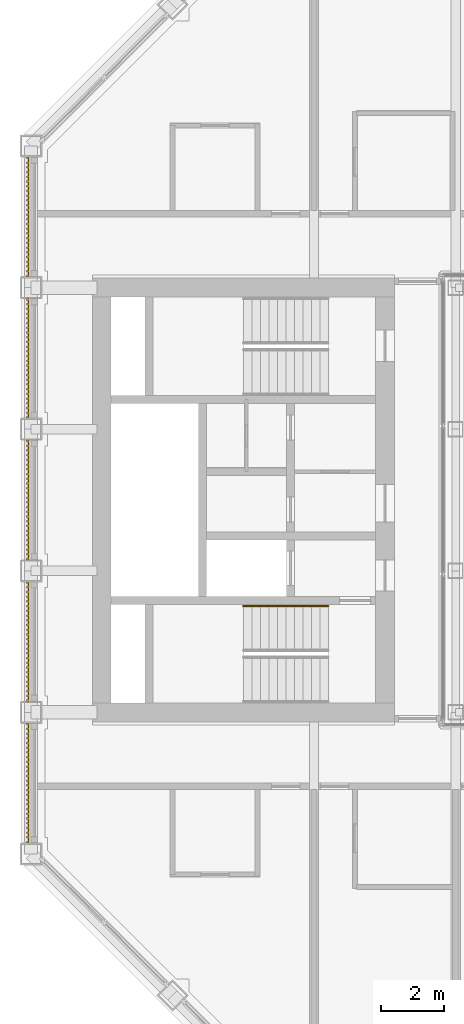
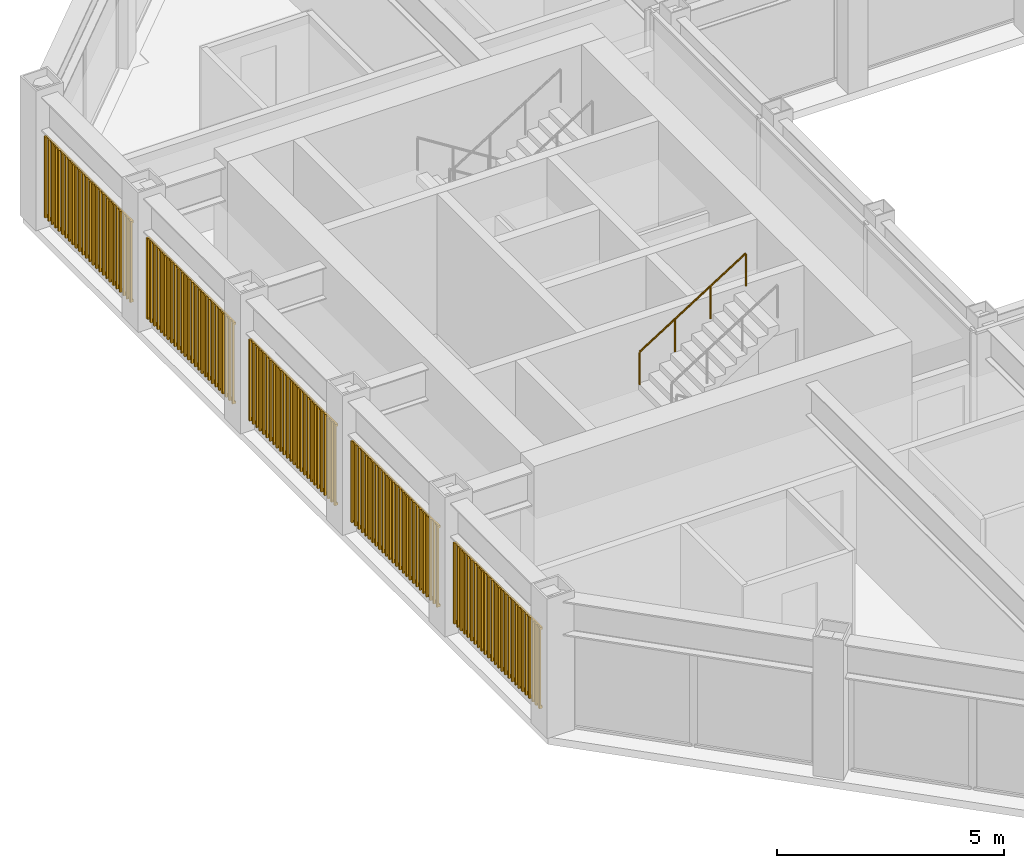
# One storey, part 14 of 16: 1 railing, 1 shading device.
"""IFC4 building model written with IfcOpenShell, lengths in metres."""

from ifc_helpers import new_model, si_unit, direction, frame, origin, origin_2d, place, context, subcontext, project, spatial, rectangle, circle, extrude, material, type_object, element, save


model = new_model("IFC4")

# Units and contexts
model_context = context("Model", 3, precision=1e-05, world=origin(), true_north=direction((0.0, 1.0)))
body_context = subcontext(model_context, "Body", "Model", "MODEL_VIEW")
ifc_project = project(units=[si_unit("LENGTHUNIT", "METRE"), si_unit("AREAUNIT", "SQUARE_METRE"), si_unit("VOLUMEUNIT", "CUBIC_METRE"), si_unit("PLANEANGLEUNIT", "RADIAN"), si_unit("MASSUNIT", "GRAM", prefix="KILO")], contexts=[model_context])

# Site, building, storey
site_placement = place(None, origin())
site = spatial("IfcSite", under=ifc_project, at=site_placement, CompositionType="ELEMENT")
building_placement = place(site_placement, origin())
building = spatial("IfcBuilding", under=site, at=building_placement, Name="Msasa Ring Tower", CompositionType="ELEMENT")
storey_placement = place(building_placement, frame((0.0, 0.0, 212.050048828125)))
storey = spatial("IfcBuildingStorey", under=building, at=storey_placement, Name="L55", CompositionType="ELEMENT", Elevation=212.050048828125)

# Shading device
ifc_material_1 = material(Name="Extruded terracotta on aluminium carriers", Category="masonry")
shading_device_type = type_object("IfcShadingDeviceType", Name="BS1 TERRACOTTA BAGUETTE SCREEN 50x50 AT 150", PredefinedType="USERDEFINED", material=ifc_material_1)
shading_device_placement = place(storey_placement, origin())
element("IfcShadingDevice", 1, at=shading_device_placement, inside=storey, type_object=shading_device_type, Name="Terracotta baguette screen W L55", ObjectType="BAGUETTE", PredefinedType="USERDEFINED", context=body_context, shape_type="SweptSolid", body=[
    extrude(rectangle(XDim=0.06005859375, YDim=0.0400390625, at=origin_2d()), frame((-20.330078125, -10.89990234375, 0.329833984375), z_axis=(0.0, 1.0, 0.0), x_axis=(0.0, 0.0, 1.0)), (0.0, 0.0, 1.0), 3.800048828125),
    extrude(rectangle(XDim=0.06005859375, YDim=0.0400390625, at=origin_2d()), frame((-20.330078125, -10.89990234375, 2.448974609375), z_axis=(0.0, 1.0, 0.0), x_axis=(0.0, 0.0, 1.0)), (0.0, 0.0, 1.0), 3.800048828125),
    extrude(rectangle(XDim=0.050048828125, YDim=0.050048828125, at=origin_2d()), frame((-20.3701171875, -10.875, 0.300048828125), z_axis=(0.0, 0.0, 1.0), x_axis=(0.0, 1.0, 0.0)), (0.0, 0.0, 1.0), 2.178955078125),
    extrude(rectangle(XDim=0.050048828125, YDim=0.050048828125, at=origin_2d()), frame((-20.3701171875, -10.72509765625, 0.300048828125), z_axis=(0.0, 0.0, 1.0), x_axis=(0.0, 1.0, 0.0)), (0.0, 0.0, 1.0), 2.178955078125),
    extrude(rectangle(XDim=0.050048828125, YDim=0.050048828125, at=origin_2d()), frame((-20.3701171875, -10.574951171875, 0.300048828125), z_axis=(0.0, 0.0, 1.0), x_axis=(0.0, 1.0, 0.0)), (0.0, 0.0, 1.0), 2.178955078125),
    extrude(rectangle(XDim=0.050048828125, YDim=0.050048828125, at=origin_2d()), frame((-20.3701171875, -10.425048828125, 0.300048828125), z_axis=(0.0, 0.0, 1.0), x_axis=(0.0, 1.0, 0.0)), (0.0, 0.0, 1.0), 2.178955078125),
    extrude(rectangle(XDim=0.050048828125, YDim=0.050048828125, at=origin_2d()), frame((-20.3701171875, -10.27490234375, 0.300048828125), z_axis=(0.0, 0.0, 1.0), x_axis=(0.0, 1.0, 0.0)), (0.0, 0.0, 1.0), 2.178955078125),
    extrude(rectangle(XDim=0.050048828125, YDim=0.050048828125, at=origin_2d()), frame((-20.3701171875, -10.125, 0.300048828125), z_axis=(0.0, 0.0, 1.0), x_axis=(0.0, 1.0, 0.0)), (0.0, 0.0, 1.0), 2.178955078125),
    extrude(rectangle(XDim=0.050048828125, YDim=0.050048828125, at=origin_2d()), frame((-20.3701171875, -9.97509765625, 0.300048828125), z_axis=(0.0, 0.0, 1.0), x_axis=(0.0, 1.0, 0.0)), (0.0, 0.0, 1.0), 2.178955078125),
    extrude(rectangle(XDim=0.050048828125, YDim=0.050048828125, at=origin_2d()), frame((-20.3701171875, -9.824951171875, 0.300048828125), z_axis=(0.0, 0.0, 1.0), x_axis=(0.0, 1.0, 0.0)), (0.0, 0.0, 1.0), 2.178955078125),
    extrude(rectangle(XDim=0.050048828125, YDim=0.050048828125, at=origin_2d()), frame((-20.3701171875, -9.675048828125, 0.300048828125), z_axis=(0.0, 0.0, 1.0), x_axis=(0.0, 1.0, 0.0)), (0.0, 0.0, 1.0), 2.178955078125),
    extrude(rectangle(XDim=0.050048828125, YDim=0.050048828125, at=origin_2d()), frame((-20.3701171875, -9.52490234375, 0.300048828125), z_axis=(0.0, 0.0, 1.0), x_axis=(0.0, 1.0, 0.0)), (0.0, 0.0, 1.0), 2.178955078125),
    extrude(rectangle(XDim=0.050048828125, YDim=0.050048828125, at=origin_2d()), frame((-20.3701171875, -9.375, 0.300048828125), z_axis=(0.0, 0.0, 1.0), x_axis=(0.0, 1.0, 0.0)), (0.0, 0.0, 1.0), 2.178955078125),
    extrude(rectangle(XDim=0.050048828125, YDim=0.050048828125, at=origin_2d()), frame((-20.3701171875, -9.22509765625, 0.300048828125), z_axis=(0.0, 0.0, 1.0), x_axis=(0.0, 1.0, 0.0)), (0.0, 0.0, 1.0), 2.178955078125),
    extrude(rectangle(XDim=0.050048828125, YDim=0.050048828125, at=origin_2d()), frame((-20.3701171875, -9.074951171875, 0.300048828125), z_axis=(0.0, 0.0, 1.0), x_axis=(0.0, 1.0, 0.0)), (0.0, 0.0, 1.0), 2.178955078125),
    extrude(rectangle(XDim=0.050048828125, YDim=0.050048828125, at=origin_2d()), frame((-20.3701171875, -8.925048828125, 0.300048828125), z_axis=(0.0, 0.0, 1.0), x_axis=(0.0, 1.0, 0.0)), (0.0, 0.0, 1.0), 2.178955078125),
    extrude(rectangle(XDim=0.050048828125, YDim=0.050048828125, at=origin_2d()), frame((-20.3701171875, -8.77490234375, 0.300048828125), z_axis=(0.0, 0.0, 1.0), x_axis=(0.0, 1.0, 0.0)), (0.0, 0.0, 1.0), 2.178955078125),
    extrude(rectangle(XDim=0.050048828125, YDim=0.050048828125, at=origin_2d()), frame((-20.3701171875, -8.625, 0.300048828125), z_axis=(0.0, 0.0, 1.0), x_axis=(0.0, 1.0, 0.0)), (0.0, 0.0, 1.0), 2.178955078125),
    extrude(rectangle(XDim=0.050048828125, YDim=0.050048828125, at=origin_2d()), frame((-20.3701171875, -8.47509765625, 0.300048828125), z_axis=(0.0, 0.0, 1.0), x_axis=(0.0, 1.0, 0.0)), (0.0, 0.0, 1.0), 2.178955078125),
    extrude(rectangle(XDim=0.050048828125, YDim=0.050048828125, at=origin_2d()), frame((-20.3701171875, -8.324951171875, 0.300048828125), z_axis=(0.0, 0.0, 1.0), x_axis=(0.0, 1.0, 0.0)), (0.0, 0.0, 1.0), 2.178955078125),
    extrude(rectangle(XDim=0.050048828125, YDim=0.050048828125, at=origin_2d()), frame((-20.3701171875, -8.175048828125, 0.300048828125), z_axis=(0.0, 0.0, 1.0), x_axis=(0.0, 1.0, 0.0)), (0.0, 0.0, 1.0), 2.178955078125),
    extrude(rectangle(XDim=0.050048828125, YDim=0.050048828125, at=origin_2d()), frame((-20.3701171875, -8.02490234375, 0.300048828125), z_axis=(0.0, 0.0, 1.0), x_axis=(0.0, 1.0, 0.0)), (0.0, 0.0, 1.0), 2.178955078125),
    extrude(rectangle(XDim=0.050048828125, YDim=0.050048828125, at=origin_2d()), frame((-20.3701171875, -7.875, 0.300048828125), z_axis=(0.0, 0.0, 1.0), x_axis=(0.0, 1.0, 0.0)), (0.0, 0.0, 1.0), 2.178955078125),
    extrude(rectangle(XDim=0.050048828125, YDim=0.050048828125, at=origin_2d()), frame((-20.3701171875, -7.72509765625, 0.300048828125), z_axis=(0.0, 0.0, 1.0), x_axis=(0.0, 1.0, 0.0)), (0.0, 0.0, 1.0), 2.178955078125),
    extrude(rectangle(XDim=0.050048828125, YDim=0.050048828125, at=origin_2d()), frame((-20.3701171875, -7.574951171875, 0.300048828125), z_axis=(0.0, 0.0, 1.0), x_axis=(0.0, 1.0, 0.0)), (0.0, 0.0, 1.0), 2.178955078125),
    extrude(rectangle(XDim=0.050048828125, YDim=0.050048828125, at=origin_2d()), frame((-20.3701171875, -7.425048828125, 0.300048828125), z_axis=(0.0, 0.0, 1.0), x_axis=(0.0, 1.0, 0.0)), (0.0, 0.0, 1.0), 2.178955078125),
    extrude(rectangle(XDim=0.050048828125, YDim=0.050048828125, at=origin_2d()), frame((-20.3701171875, -7.27490234375, 0.300048828125), z_axis=(0.0, 0.0, 1.0), x_axis=(0.0, 1.0, 0.0)), (0.0, 0.0, 1.0), 2.178955078125),
    extrude(rectangle(XDim=0.050048828125, YDim=0.050048828125, at=origin_2d()), frame((-20.3701171875, -7.125, 0.300048828125), z_axis=(0.0, 0.0, 1.0), x_axis=(0.0, 1.0, 0.0)), (0.0, 0.0, 1.0), 2.178955078125),
    extrude(rectangle(XDim=0.06005859375, YDim=0.0400390625, at=origin_2d()), frame((-20.330078125, -6.39990234375, 0.329833984375), z_axis=(0.0, 1.0, 0.0), x_axis=(0.0, 0.0, 1.0)), (0.0, 0.0, 1.0), 3.800048828125),
    extrude(rectangle(XDim=0.06005859375, YDim=0.0400390625, at=origin_2d()), frame((-20.330078125, -6.39990234375, 2.448974609375), z_axis=(0.0, 1.0, 0.0), x_axis=(0.0, 0.0, 1.0)), (0.0, 0.0, 1.0), 3.800048828125),
    extrude(rectangle(XDim=0.050048828125, YDim=0.050048828125, at=origin_2d()), frame((-20.3701171875, -6.375, 0.300048828125), z_axis=(0.0, 0.0, 1.0), x_axis=(0.0, 1.0, 0.0)), (0.0, 0.0, 1.0), 2.178955078125),
    extrude(rectangle(XDim=0.050048828125, YDim=0.050048828125, at=origin_2d()), frame((-20.3701171875, -6.22509765625, 0.300048828125), z_axis=(0.0, 0.0, 1.0), x_axis=(0.0, 1.0, 0.0)), (0.0, 0.0, 1.0), 2.178955078125),
    extrude(rectangle(XDim=0.050048828125, YDim=0.050048828125, at=origin_2d()), frame((-20.3701171875, -6.074951171875, 0.300048828125), z_axis=(0.0, 0.0, 1.0), x_axis=(0.0, 1.0, 0.0)), (0.0, 0.0, 1.0), 2.178955078125),
    extrude(rectangle(XDim=0.050048828125, YDim=0.050048828125, at=origin_2d()), frame((-20.3701171875, -5.925048828125, 0.300048828125), z_axis=(0.0, 0.0, 1.0), x_axis=(0.0, 1.0, 0.0)), (0.0, 0.0, 1.0), 2.178955078125),
    extrude(rectangle(XDim=0.050048828125, YDim=0.050048828125, at=origin_2d()), frame((-20.3701171875, -5.77490234375, 0.300048828125), z_axis=(0.0, 0.0, 1.0), x_axis=(0.0, 1.0, 0.0)), (0.0, 0.0, 1.0), 2.178955078125),
    extrude(rectangle(XDim=0.050048828125, YDim=0.050048828125, at=origin_2d()), frame((-20.3701171875, -5.625, 0.300048828125), z_axis=(0.0, 0.0, 1.0), x_axis=(0.0, 1.0, 0.0)), (0.0, 0.0, 1.0), 2.178955078125),
    extrude(rectangle(XDim=0.050048828125, YDim=0.050048828125, at=origin_2d()), frame((-20.3701171875, -5.47509765625, 0.300048828125), z_axis=(0.0, 0.0, 1.0), x_axis=(0.0, 1.0, 0.0)), (0.0, 0.0, 1.0), 2.178955078125),
    extrude(rectangle(XDim=0.050048828125, YDim=0.050048828125, at=origin_2d()), frame((-20.3701171875, -5.324951171875, 0.300048828125), z_axis=(0.0, 0.0, 1.0), x_axis=(0.0, 1.0, 0.0)), (0.0, 0.0, 1.0), 2.178955078125),
    extrude(rectangle(XDim=0.050048828125, YDim=0.050048828125, at=origin_2d()), frame((-20.3701171875, -5.175048828125, 0.300048828125), z_axis=(0.0, 0.0, 1.0), x_axis=(0.0, 1.0, 0.0)), (0.0, 0.0, 1.0), 2.178955078125),
    extrude(rectangle(XDim=0.050048828125, YDim=0.050048828125, at=origin_2d()), frame((-20.3701171875, -5.02490234375, 0.300048828125), z_axis=(0.0, 0.0, 1.0), x_axis=(0.0, 1.0, 0.0)), (0.0, 0.0, 1.0), 2.178955078125),
    extrude(rectangle(XDim=0.050048828125, YDim=0.050048828125, at=origin_2d()), frame((-20.3701171875, -4.875, 0.300048828125), z_axis=(0.0, 0.0, 1.0), x_axis=(0.0, 1.0, 0.0)), (0.0, 0.0, 1.0), 2.178955078125),
    extrude(rectangle(XDim=0.050048828125, YDim=0.050048828125, at=origin_2d()), frame((-20.3701171875, -4.72509765625, 0.300048828125), z_axis=(0.0, 0.0, 1.0), x_axis=(0.0, 1.0, 0.0)), (0.0, 0.0, 1.0), 2.178955078125),
    extrude(rectangle(XDim=0.050048828125, YDim=0.050048828125, at=origin_2d()), frame((-20.3701171875, -4.574951171875, 0.300048828125), z_axis=(0.0, 0.0, 1.0), x_axis=(0.0, 1.0, 0.0)), (0.0, 0.0, 1.0), 2.178955078125),
    extrude(rectangle(XDim=0.050048828125, YDim=0.050048828125, at=origin_2d()), frame((-20.3701171875, -4.425048828125, 0.300048828125), z_axis=(0.0, 0.0, 1.0), x_axis=(0.0, 1.0, 0.0)), (0.0, 0.0, 1.0), 2.178955078125),
    extrude(rectangle(XDim=0.050048828125, YDim=0.050048828125, at=origin_2d()), frame((-20.3701171875, -4.27490234375, 0.300048828125), z_axis=(0.0, 0.0, 1.0), x_axis=(0.0, 1.0, 0.0)), (0.0, 0.0, 1.0), 2.178955078125),
    extrude(rectangle(XDim=0.050048828125, YDim=0.050048828125, at=origin_2d()), frame((-20.3701171875, -4.125, 0.300048828125), z_axis=(0.0, 0.0, 1.0), x_axis=(0.0, 1.0, 0.0)), (0.0, 0.0, 1.0), 2.178955078125),
    extrude(rectangle(XDim=0.050048828125, YDim=0.050048828125, at=origin_2d()), frame((-20.3701171875, -3.97509765625, 0.300048828125), z_axis=(0.0, 0.0, 1.0), x_axis=(0.0, 1.0, 0.0)), (0.0, 0.0, 1.0), 2.178955078125),
    extrude(rectangle(XDim=0.050048828125, YDim=0.050048828125, at=origin_2d()), frame((-20.3701171875, -3.824951171875, 0.300048828125), z_axis=(0.0, 0.0, 1.0), x_axis=(0.0, 1.0, 0.0)), (0.0, 0.0, 1.0), 2.178955078125),
    extrude(rectangle(XDim=0.050048828125, YDim=0.050048828125, at=origin_2d()), frame((-20.3701171875, -3.675048828125, 0.300048828125), z_axis=(0.0, 0.0, 1.0), x_axis=(0.0, 1.0, 0.0)), (0.0, 0.0, 1.0), 2.178955078125),
    extrude(rectangle(XDim=0.050048828125, YDim=0.050048828125, at=origin_2d()), frame((-20.3701171875, -3.52490234375, 0.300048828125), z_axis=(0.0, 0.0, 1.0), x_axis=(0.0, 1.0, 0.0)), (0.0, 0.0, 1.0), 2.178955078125),
    extrude(rectangle(XDim=0.050048828125, YDim=0.050048828125, at=origin_2d()), frame((-20.3701171875, -3.375, 0.300048828125), z_axis=(0.0, 0.0, 1.0), x_axis=(0.0, 1.0, 0.0)), (0.0, 0.0, 1.0), 2.178955078125),
    extrude(rectangle(XDim=0.050048828125, YDim=0.050048828125, at=origin_2d()), frame((-20.3701171875, -3.22509765625, 0.300048828125), z_axis=(0.0, 0.0, 1.0), x_axis=(0.0, 1.0, 0.0)), (0.0, 0.0, 1.0), 2.178955078125),
    extrude(rectangle(XDim=0.050048828125, YDim=0.050048828125, at=origin_2d()), frame((-20.3701171875, -3.074951171875, 0.300048828125), z_axis=(0.0, 0.0, 1.0), x_axis=(0.0, 1.0, 0.0)), (0.0, 0.0, 1.0), 2.178955078125),
    extrude(rectangle(XDim=0.050048828125, YDim=0.050048828125, at=origin_2d()), frame((-20.3701171875, -2.925048828125, 0.300048828125), z_axis=(0.0, 0.0, 1.0), x_axis=(0.0, 1.0, 0.0)), (0.0, 0.0, 1.0), 2.178955078125),
    extrude(rectangle(XDim=0.050048828125, YDim=0.050048828125, at=origin_2d()), frame((-20.3701171875, -2.77490234375, 0.300048828125), z_axis=(0.0, 0.0, 1.0), x_axis=(0.0, 1.0, 0.0)), (0.0, 0.0, 1.0), 2.178955078125),
    extrude(rectangle(XDim=0.050048828125, YDim=0.050048828125, at=origin_2d()), frame((-20.3701171875, -2.625, 0.300048828125), z_axis=(0.0, 0.0, 1.0), x_axis=(0.0, 1.0, 0.0)), (0.0, 0.0, 1.0), 2.178955078125),
    extrude(rectangle(XDim=0.06005859375, YDim=0.0400390625, at=origin_2d()), frame((-20.330078125, -1.89990234375, 0.329833984375), z_axis=(0.0, 1.0, 0.0), x_axis=(0.0, 0.0, 1.0)), (0.0, 0.0, 1.0), 3.800048828125),
    extrude(rectangle(XDim=0.06005859375, YDim=0.0400390625, at=origin_2d()), frame((-20.330078125, -1.89990234375, 2.448974609375), z_axis=(0.0, 1.0, 0.0), x_axis=(0.0, 0.0, 1.0)), (0.0, 0.0, 1.0), 3.800048828125),
    extrude(rectangle(XDim=0.050048828125, YDim=0.050048828125, at=origin_2d()), frame((-20.3701171875, -1.875, 0.300048828125), z_axis=(0.0, 0.0, 1.0), x_axis=(0.0, 1.0, 0.0)), (0.0, 0.0, 1.0), 2.178955078125),
    extrude(rectangle(XDim=0.050048828125, YDim=0.050048828125, at=origin_2d()), frame((-20.3701171875, -1.72509765625, 0.300048828125), z_axis=(0.0, 0.0, 1.0), x_axis=(0.0, 1.0, 0.0)), (0.0, 0.0, 1.0), 2.178955078125),
    extrude(rectangle(XDim=0.050048828125, YDim=0.050048828125, at=origin_2d()), frame((-20.3701171875, -1.574951171875, 0.300048828125), z_axis=(0.0, 0.0, 1.0), x_axis=(0.0, 1.0, 0.0)), (0.0, 0.0, 1.0), 2.178955078125),
    extrude(rectangle(XDim=0.050048828125, YDim=0.050048828125, at=origin_2d()), frame((-20.3701171875, -1.425048828125, 0.300048828125), z_axis=(0.0, 0.0, 1.0), x_axis=(0.0, 1.0, 0.0)), (0.0, 0.0, 1.0), 2.178955078125),
    extrude(rectangle(XDim=0.050048828125, YDim=0.050048828125, at=origin_2d()), frame((-20.3701171875, -1.27490234375, 0.300048828125), z_axis=(0.0, 0.0, 1.0), x_axis=(0.0, 1.0, 0.0)), (0.0, 0.0, 1.0), 2.178955078125),
    extrude(rectangle(XDim=0.050048828125, YDim=0.050048828125, at=origin_2d()), frame((-20.3701171875, -1.125, 0.300048828125), z_axis=(0.0, 0.0, 1.0), x_axis=(0.0, 1.0, 0.0)), (0.0, 0.0, 1.0), 2.178955078125),
    extrude(rectangle(XDim=0.050048828125, YDim=0.050048828125, at=origin_2d()), frame((-20.3701171875, -0.97509765625, 0.300048828125), z_axis=(0.0, 0.0, 1.0), x_axis=(0.0, 1.0, 0.0)), (0.0, 0.0, 1.0), 2.178955078125),
    extrude(rectangle(XDim=0.050048828125, YDim=0.050048828125, at=origin_2d()), frame((-20.3701171875, -0.824951171875, 0.300048828125), z_axis=(0.0, 0.0, 1.0), x_axis=(0.0, 1.0, 0.0)), (0.0, 0.0, 1.0), 2.178955078125),
    extrude(rectangle(XDim=0.050048828125, YDim=0.050048828125, at=origin_2d()), frame((-20.3701171875, -0.675048828125, 0.300048828125), z_axis=(0.0, 0.0, 1.0), x_axis=(0.0, 1.0, 0.0)), (0.0, 0.0, 1.0), 2.178955078125),
    extrude(rectangle(XDim=0.050048828125, YDim=0.050048828125, at=origin_2d()), frame((-20.3701171875, -0.52490234375, 0.300048828125), z_axis=(0.0, 0.0, 1.0), x_axis=(0.0, 1.0, 0.0)), (0.0, 0.0, 1.0), 2.178955078125),
    extrude(rectangle(XDim=0.050048828125, YDim=0.050048828125, at=origin_2d()), frame((-20.3701171875, -0.375, 0.300048828125), z_axis=(0.0, 0.0, 1.0), x_axis=(0.0, 1.0, 0.0)), (0.0, 0.0, 1.0), 2.178955078125),
    extrude(rectangle(XDim=0.050048828125, YDim=0.050048828125, at=origin_2d()), frame((-20.3701171875, -0.22509765625, 0.300048828125), z_axis=(0.0, 0.0, 1.0), x_axis=(0.0, 1.0, 0.0)), (0.0, 0.0, 1.0), 2.178955078125),
    extrude(rectangle(XDim=0.050048828125, YDim=0.050048828125, at=origin_2d()), frame((-20.3701171875, -0.074951171875, 0.300048828125), z_axis=(0.0, 0.0, 1.0), x_axis=(0.0, 1.0, 0.0)), (0.0, 0.0, 1.0), 2.178955078125),
    extrude(rectangle(XDim=0.050048828125, YDim=0.050048828125, at=origin_2d()), frame((-20.3701171875, 0.074951171875, 0.300048828125), z_axis=(0.0, 0.0, 1.0), x_axis=(0.0, 1.0, 0.0)), (0.0, 0.0, 1.0), 2.178955078125),
    extrude(rectangle(XDim=0.050048828125, YDim=0.050048828125, at=origin_2d()), frame((-20.3701171875, 0.22509765625, 0.300048828125), z_axis=(0.0, 0.0, 1.0), x_axis=(0.0, 1.0, 0.0)), (0.0, 0.0, 1.0), 2.178955078125),
    extrude(rectangle(XDim=0.050048828125, YDim=0.050048828125, at=origin_2d()), frame((-20.3701171875, 0.375, 0.300048828125), z_axis=(0.0, 0.0, 1.0), x_axis=(0.0, 1.0, 0.0)), (0.0, 0.0, 1.0), 2.178955078125),
    extrude(rectangle(XDim=0.050048828125, YDim=0.050048828125, at=origin_2d()), frame((-20.3701171875, 0.52490234375, 0.300048828125), z_axis=(0.0, 0.0, 1.0), x_axis=(0.0, 1.0, 0.0)), (0.0, 0.0, 1.0), 2.178955078125),
    extrude(rectangle(XDim=0.050048828125, YDim=0.050048828125, at=origin_2d()), frame((-20.3701171875, 0.675048828125, 0.300048828125), z_axis=(0.0, 0.0, 1.0), x_axis=(0.0, 1.0, 0.0)), (0.0, 0.0, 1.0), 2.178955078125),
    extrude(rectangle(XDim=0.050048828125, YDim=0.050048828125, at=origin_2d()), frame((-20.3701171875, 0.824951171875, 0.300048828125), z_axis=(0.0, 0.0, 1.0), x_axis=(0.0, 1.0, 0.0)), (0.0, 0.0, 1.0), 2.178955078125),
    extrude(rectangle(XDim=0.050048828125, YDim=0.050048828125, at=origin_2d()), frame((-20.3701171875, 0.97509765625, 0.300048828125), z_axis=(0.0, 0.0, 1.0), x_axis=(0.0, 1.0, 0.0)), (0.0, 0.0, 1.0), 2.178955078125),
    extrude(rectangle(XDim=0.050048828125, YDim=0.050048828125, at=origin_2d()), frame((-20.3701171875, 1.125, 0.300048828125), z_axis=(0.0, 0.0, 1.0), x_axis=(0.0, 1.0, 0.0)), (0.0, 0.0, 1.0), 2.178955078125),
    extrude(rectangle(XDim=0.050048828125, YDim=0.050048828125, at=origin_2d()), frame((-20.3701171875, 1.27490234375, 0.300048828125), z_axis=(0.0, 0.0, 1.0), x_axis=(0.0, 1.0, 0.0)), (0.0, 0.0, 1.0), 2.178955078125),
    extrude(rectangle(XDim=0.050048828125, YDim=0.050048828125, at=origin_2d()), frame((-20.3701171875, 1.425048828125, 0.300048828125), z_axis=(0.0, 0.0, 1.0), x_axis=(0.0, 1.0, 0.0)), (0.0, 0.0, 1.0), 2.178955078125),
    extrude(rectangle(XDim=0.050048828125, YDim=0.050048828125, at=origin_2d()), frame((-20.3701171875, 1.574951171875, 0.300048828125), z_axis=(0.0, 0.0, 1.0), x_axis=(0.0, 1.0, 0.0)), (0.0, 0.0, 1.0), 2.178955078125),
    extrude(rectangle(XDim=0.050048828125, YDim=0.050048828125, at=origin_2d()), frame((-20.3701171875, 1.72509765625, 0.300048828125), z_axis=(0.0, 0.0, 1.0), x_axis=(0.0, 1.0, 0.0)), (0.0, 0.0, 1.0), 2.178955078125),
    extrude(rectangle(XDim=0.050048828125, YDim=0.050048828125, at=origin_2d()), frame((-20.3701171875, 1.875, 0.300048828125), z_axis=(0.0, 0.0, 1.0), x_axis=(0.0, 1.0, 0.0)), (0.0, 0.0, 1.0), 2.178955078125),
    extrude(rectangle(XDim=0.06005859375, YDim=0.0400390625, at=origin_2d()), frame((-20.330078125, 2.60009765625, 0.329833984375), z_axis=(0.0, 1.0, 0.0), x_axis=(0.0, 0.0, 1.0)), (0.0, 0.0, 1.0), 3.800048828125),
    extrude(rectangle(XDim=0.06005859375, YDim=0.0400390625, at=origin_2d()), frame((-20.330078125, 2.60009765625, 2.448974609375), z_axis=(0.0, 1.0, 0.0), x_axis=(0.0, 0.0, 1.0)), (0.0, 0.0, 1.0), 3.800048828125),
    extrude(rectangle(XDim=0.050048828125, YDim=0.050048828125, at=origin_2d()), frame((-20.3701171875, 2.625, 0.300048828125), z_axis=(0.0, 0.0, 1.0), x_axis=(0.0, 1.0, 0.0)), (0.0, 0.0, 1.0), 2.178955078125),
    extrude(rectangle(XDim=0.050048828125, YDim=0.050048828125, at=origin_2d()), frame((-20.3701171875, 2.77490234375, 0.300048828125), z_axis=(0.0, 0.0, 1.0), x_axis=(0.0, 1.0, 0.0)), (0.0, 0.0, 1.0), 2.178955078125),
    extrude(rectangle(XDim=0.050048828125, YDim=0.050048828125, at=origin_2d()), frame((-20.3701171875, 2.925048828125, 0.300048828125), z_axis=(0.0, 0.0, 1.0), x_axis=(0.0, 1.0, 0.0)), (0.0, 0.0, 1.0), 2.178955078125),
    extrude(rectangle(XDim=0.050048828125, YDim=0.050048828125, at=origin_2d()), frame((-20.3701171875, 3.074951171875, 0.300048828125), z_axis=(0.0, 0.0, 1.0), x_axis=(0.0, 1.0, 0.0)), (0.0, 0.0, 1.0), 2.178955078125),
    extrude(rectangle(XDim=0.050048828125, YDim=0.050048828125, at=origin_2d()), frame((-20.3701171875, 3.22509765625, 0.300048828125), z_axis=(0.0, 0.0, 1.0), x_axis=(0.0, 1.0, 0.0)), (0.0, 0.0, 1.0), 2.178955078125),
    extrude(rectangle(XDim=0.050048828125, YDim=0.050048828125, at=origin_2d()), frame((-20.3701171875, 3.375, 0.300048828125), z_axis=(0.0, 0.0, 1.0), x_axis=(0.0, 1.0, 0.0)), (0.0, 0.0, 1.0), 2.178955078125),
    extrude(rectangle(XDim=0.050048828125, YDim=0.050048828125, at=origin_2d()), frame((-20.3701171875, 3.52490234375, 0.300048828125), z_axis=(0.0, 0.0, 1.0), x_axis=(0.0, 1.0, 0.0)), (0.0, 0.0, 1.0), 2.178955078125),
    extrude(rectangle(XDim=0.050048828125, YDim=0.050048828125, at=origin_2d()), frame((-20.3701171875, 3.675048828125, 0.300048828125), z_axis=(0.0, 0.0, 1.0), x_axis=(0.0, 1.0, 0.0)), (0.0, 0.0, 1.0), 2.178955078125),
    extrude(rectangle(XDim=0.050048828125, YDim=0.050048828125, at=origin_2d()), frame((-20.3701171875, 3.824951171875, 0.300048828125), z_axis=(0.0, 0.0, 1.0), x_axis=(0.0, 1.0, 0.0)), (0.0, 0.0, 1.0), 2.178955078125),
    extrude(rectangle(XDim=0.050048828125, YDim=0.050048828125, at=origin_2d()), frame((-20.3701171875, 3.97509765625, 0.300048828125), z_axis=(0.0, 0.0, 1.0), x_axis=(0.0, 1.0, 0.0)), (0.0, 0.0, 1.0), 2.178955078125),
    extrude(rectangle(XDim=0.050048828125, YDim=0.050048828125, at=origin_2d()), frame((-20.3701171875, 4.125, 0.300048828125), z_axis=(0.0, 0.0, 1.0), x_axis=(0.0, 1.0, 0.0)), (0.0, 0.0, 1.0), 2.178955078125),
    extrude(rectangle(XDim=0.050048828125, YDim=0.050048828125, at=origin_2d()), frame((-20.3701171875, 4.27490234375, 0.300048828125), z_axis=(0.0, 0.0, 1.0), x_axis=(0.0, 1.0, 0.0)), (0.0, 0.0, 1.0), 2.178955078125),
    extrude(rectangle(XDim=0.050048828125, YDim=0.050048828125, at=origin_2d()), frame((-20.3701171875, 4.425048828125, 0.300048828125), z_axis=(0.0, 0.0, 1.0), x_axis=(0.0, 1.0, 0.0)), (0.0, 0.0, 1.0), 2.178955078125),
    extrude(rectangle(XDim=0.050048828125, YDim=0.050048828125, at=origin_2d()), frame((-20.3701171875, 4.574951171875, 0.300048828125), z_axis=(0.0, 0.0, 1.0), x_axis=(0.0, 1.0, 0.0)), (0.0, 0.0, 1.0), 2.178955078125),
    extrude(rectangle(XDim=0.050048828125, YDim=0.050048828125, at=origin_2d()), frame((-20.3701171875, 4.72509765625, 0.300048828125), z_axis=(0.0, 0.0, 1.0), x_axis=(0.0, 1.0, 0.0)), (0.0, 0.0, 1.0), 2.178955078125),
    extrude(rectangle(XDim=0.050048828125, YDim=0.050048828125, at=origin_2d()), frame((-20.3701171875, 4.875, 0.300048828125), z_axis=(0.0, 0.0, 1.0), x_axis=(0.0, 1.0, 0.0)), (0.0, 0.0, 1.0), 2.178955078125),
    extrude(rectangle(XDim=0.050048828125, YDim=0.050048828125, at=origin_2d()), frame((-20.3701171875, 5.02490234375, 0.300048828125), z_axis=(0.0, 0.0, 1.0), x_axis=(0.0, 1.0, 0.0)), (0.0, 0.0, 1.0), 2.178955078125),
    extrude(rectangle(XDim=0.050048828125, YDim=0.050048828125, at=origin_2d()), frame((-20.3701171875, 5.175048828125, 0.300048828125), z_axis=(0.0, 0.0, 1.0), x_axis=(0.0, 1.0, 0.0)), (0.0, 0.0, 1.0), 2.178955078125),
    extrude(rectangle(XDim=0.050048828125, YDim=0.050048828125, at=origin_2d()), frame((-20.3701171875, 5.324951171875, 0.300048828125), z_axis=(0.0, 0.0, 1.0), x_axis=(0.0, 1.0, 0.0)), (0.0, 0.0, 1.0), 2.178955078125),
    extrude(rectangle(XDim=0.050048828125, YDim=0.050048828125, at=origin_2d()), frame((-20.3701171875, 5.47509765625, 0.300048828125), z_axis=(0.0, 0.0, 1.0), x_axis=(0.0, 1.0, 0.0)), (0.0, 0.0, 1.0), 2.178955078125),
    extrude(rectangle(XDim=0.050048828125, YDim=0.050048828125, at=origin_2d()), frame((-20.3701171875, 5.625, 0.300048828125), z_axis=(0.0, 0.0, 1.0), x_axis=(0.0, 1.0, 0.0)), (0.0, 0.0, 1.0), 2.178955078125),
    extrude(rectangle(XDim=0.050048828125, YDim=0.050048828125, at=origin_2d()), frame((-20.3701171875, 5.77490234375, 0.300048828125), z_axis=(0.0, 0.0, 1.0), x_axis=(0.0, 1.0, 0.0)), (0.0, 0.0, 1.0), 2.178955078125),
    extrude(rectangle(XDim=0.050048828125, YDim=0.050048828125, at=origin_2d()), frame((-20.3701171875, 5.925048828125, 0.300048828125), z_axis=(0.0, 0.0, 1.0), x_axis=(0.0, 1.0, 0.0)), (0.0, 0.0, 1.0), 2.178955078125),
    extrude(rectangle(XDim=0.050048828125, YDim=0.050048828125, at=origin_2d()), frame((-20.3701171875, 6.074951171875, 0.300048828125), z_axis=(0.0, 0.0, 1.0), x_axis=(0.0, 1.0, 0.0)), (0.0, 0.0, 1.0), 2.178955078125),
    extrude(rectangle(XDim=0.050048828125, YDim=0.050048828125, at=origin_2d()), frame((-20.3701171875, 6.22509765625, 0.300048828125), z_axis=(0.0, 0.0, 1.0), x_axis=(0.0, 1.0, 0.0)), (0.0, 0.0, 1.0), 2.178955078125),
    extrude(rectangle(XDim=0.050048828125, YDim=0.050048828125, at=origin_2d()), frame((-20.3701171875, 6.375, 0.300048828125), z_axis=(0.0, 0.0, 1.0), x_axis=(0.0, 1.0, 0.0)), (0.0, 0.0, 1.0), 2.178955078125),
    extrude(rectangle(XDim=0.06005859375, YDim=0.0400390625, at=origin_2d()), frame((-20.330078125, 7.10009765625, 0.329833984375), z_axis=(0.0, 1.0, 0.0), x_axis=(0.0, 0.0, 1.0)), (0.0, 0.0, 1.0), 3.800048828125),
    extrude(rectangle(XDim=0.06005859375, YDim=0.0400390625, at=origin_2d()), frame((-20.330078125, 7.10009765625, 2.448974609375), z_axis=(0.0, 1.0, 0.0), x_axis=(0.0, 0.0, 1.0)), (0.0, 0.0, 1.0), 3.800048828125),
    extrude(rectangle(XDim=0.050048828125, YDim=0.050048828125, at=origin_2d()), frame((-20.3701171875, 7.125, 0.300048828125), z_axis=(0.0, 0.0, 1.0), x_axis=(0.0, 1.0, 0.0)), (0.0, 0.0, 1.0), 2.178955078125),
    extrude(rectangle(XDim=0.050048828125, YDim=0.050048828125, at=origin_2d()), frame((-20.3701171875, 7.27490234375, 0.300048828125), z_axis=(0.0, 0.0, 1.0), x_axis=(0.0, 1.0, 0.0)), (0.0, 0.0, 1.0), 2.178955078125),
    extrude(rectangle(XDim=0.050048828125, YDim=0.050048828125, at=origin_2d()), frame((-20.3701171875, 7.425048828125, 0.300048828125), z_axis=(0.0, 0.0, 1.0), x_axis=(0.0, 1.0, 0.0)), (0.0, 0.0, 1.0), 2.178955078125),
    extrude(rectangle(XDim=0.050048828125, YDim=0.050048828125, at=origin_2d()), frame((-20.3701171875, 7.574951171875, 0.300048828125), z_axis=(0.0, 0.0, 1.0), x_axis=(0.0, 1.0, 0.0)), (0.0, 0.0, 1.0), 2.178955078125),
    extrude(rectangle(XDim=0.050048828125, YDim=0.050048828125, at=origin_2d()), frame((-20.3701171875, 7.72509765625, 0.300048828125), z_axis=(0.0, 0.0, 1.0), x_axis=(0.0, 1.0, 0.0)), (0.0, 0.0, 1.0), 2.178955078125),
    extrude(rectangle(XDim=0.050048828125, YDim=0.050048828125, at=origin_2d()), frame((-20.3701171875, 7.875, 0.300048828125), z_axis=(0.0, 0.0, 1.0), x_axis=(0.0, 1.0, 0.0)), (0.0, 0.0, 1.0), 2.178955078125),
    extrude(rectangle(XDim=0.050048828125, YDim=0.050048828125, at=origin_2d()), frame((-20.3701171875, 8.02490234375, 0.300048828125), z_axis=(0.0, 0.0, 1.0), x_axis=(0.0, 1.0, 0.0)), (0.0, 0.0, 1.0), 2.178955078125),
    extrude(rectangle(XDim=0.050048828125, YDim=0.050048828125, at=origin_2d()), frame((-20.3701171875, 8.175048828125, 0.300048828125), z_axis=(0.0, 0.0, 1.0), x_axis=(0.0, 1.0, 0.0)), (0.0, 0.0, 1.0), 2.178955078125),
    extrude(rectangle(XDim=0.050048828125, YDim=0.050048828125, at=origin_2d()), frame((-20.3701171875, 8.324951171875, 0.300048828125), z_axis=(0.0, 0.0, 1.0), x_axis=(0.0, 1.0, 0.0)), (0.0, 0.0, 1.0), 2.178955078125),
    extrude(rectangle(XDim=0.050048828125, YDim=0.050048828125, at=origin_2d()), frame((-20.3701171875, 8.47509765625, 0.300048828125), z_axis=(0.0, 0.0, 1.0), x_axis=(0.0, 1.0, 0.0)), (0.0, 0.0, 1.0), 2.178955078125),
    extrude(rectangle(XDim=0.050048828125, YDim=0.050048828125, at=origin_2d()), frame((-20.3701171875, 8.625, 0.300048828125), z_axis=(0.0, 0.0, 1.0), x_axis=(0.0, 1.0, 0.0)), (0.0, 0.0, 1.0), 2.178955078125),
    extrude(rectangle(XDim=0.050048828125, YDim=0.050048828125, at=origin_2d()), frame((-20.3701171875, 8.77490234375, 0.300048828125), z_axis=(0.0, 0.0, 1.0), x_axis=(0.0, 1.0, 0.0)), (0.0, 0.0, 1.0), 2.178955078125),
    extrude(rectangle(XDim=0.050048828125, YDim=0.050048828125, at=origin_2d()), frame((-20.3701171875, 8.925048828125, 0.300048828125), z_axis=(0.0, 0.0, 1.0), x_axis=(0.0, 1.0, 0.0)), (0.0, 0.0, 1.0), 2.178955078125),
    extrude(rectangle(XDim=0.050048828125, YDim=0.050048828125, at=origin_2d()), frame((-20.3701171875, 9.074951171875, 0.300048828125), z_axis=(0.0, 0.0, 1.0), x_axis=(0.0, 1.0, 0.0)), (0.0, 0.0, 1.0), 2.178955078125),
    extrude(rectangle(XDim=0.050048828125, YDim=0.050048828125, at=origin_2d()), frame((-20.3701171875, 9.22509765625, 0.300048828125), z_axis=(0.0, 0.0, 1.0), x_axis=(0.0, 1.0, 0.0)), (0.0, 0.0, 1.0), 2.178955078125),
    extrude(rectangle(XDim=0.050048828125, YDim=0.050048828125, at=origin_2d()), frame((-20.3701171875, 9.375, 0.300048828125), z_axis=(0.0, 0.0, 1.0), x_axis=(0.0, 1.0, 0.0)), (0.0, 0.0, 1.0), 2.178955078125),
    extrude(rectangle(XDim=0.050048828125, YDim=0.050048828125, at=origin_2d()), frame((-20.3701171875, 9.52490234375, 0.300048828125), z_axis=(0.0, 0.0, 1.0), x_axis=(0.0, 1.0, 0.0)), (0.0, 0.0, 1.0), 2.178955078125),
    extrude(rectangle(XDim=0.050048828125, YDim=0.050048828125, at=origin_2d()), frame((-20.3701171875, 9.675048828125, 0.300048828125), z_axis=(0.0, 0.0, 1.0), x_axis=(0.0, 1.0, 0.0)), (0.0, 0.0, 1.0), 2.178955078125),
    extrude(rectangle(XDim=0.050048828125, YDim=0.050048828125, at=origin_2d()), frame((-20.3701171875, 9.824951171875, 0.300048828125), z_axis=(0.0, 0.0, 1.0), x_axis=(0.0, 1.0, 0.0)), (0.0, 0.0, 1.0), 2.178955078125),
    extrude(rectangle(XDim=0.050048828125, YDim=0.050048828125, at=origin_2d()), frame((-20.3701171875, 9.97509765625, 0.300048828125), z_axis=(0.0, 0.0, 1.0), x_axis=(0.0, 1.0, 0.0)), (0.0, 0.0, 1.0), 2.178955078125),
    extrude(rectangle(XDim=0.050048828125, YDim=0.050048828125, at=origin_2d()), frame((-20.3701171875, 10.125, 0.300048828125), z_axis=(0.0, 0.0, 1.0), x_axis=(0.0, 1.0, 0.0)), (0.0, 0.0, 1.0), 2.178955078125),
    extrude(rectangle(XDim=0.050048828125, YDim=0.050048828125, at=origin_2d()), frame((-20.3701171875, 10.27490234375, 0.300048828125), z_axis=(0.0, 0.0, 1.0), x_axis=(0.0, 1.0, 0.0)), (0.0, 0.0, 1.0), 2.178955078125),
    extrude(rectangle(XDim=0.050048828125, YDim=0.050048828125, at=origin_2d()), frame((-20.3701171875, 10.425048828125, 0.300048828125), z_axis=(0.0, 0.0, 1.0), x_axis=(0.0, 1.0, 0.0)), (0.0, 0.0, 1.0), 2.178955078125),
    extrude(rectangle(XDim=0.050048828125, YDim=0.050048828125, at=origin_2d()), frame((-20.3701171875, 10.574951171875, 0.300048828125), z_axis=(0.0, 0.0, 1.0), x_axis=(0.0, 1.0, 0.0)), (0.0, 0.0, 1.0), 2.178955078125),
    extrude(rectangle(XDim=0.050048828125, YDim=0.050048828125, at=origin_2d()), frame((-20.3701171875, 10.72509765625, 0.300048828125), z_axis=(0.0, 0.0, 1.0), x_axis=(0.0, 1.0, 0.0)), (0.0, 0.0, 1.0), 2.178955078125),
    extrude(rectangle(XDim=0.050048828125, YDim=0.050048828125, at=origin_2d()), frame((-20.3701171875, 10.875, 0.300048828125), z_axis=(0.0, 0.0, 1.0), x_axis=(0.0, 1.0, 0.0)), (0.0, 0.0, 1.0), 2.178955078125),
])

# Railing
ifc_material_2 = material(Name="Stainless steel", Category="steel")
railing_type = type_object("IfcRailingType", Name="HR1 HANDRAIL 900", PredefinedType="HANDRAIL", material=ifc_material_2)
railing_placement = place(storey_placement, frame((-13.5, -3.375, 2.04541015625)))
element("IfcRailing", 2, at=railing_placement, inside=storey, type_object=railing_type, Name="Handrail stair SWA L55 4", PredefinedType="HANDRAIL", context=body_context, shape_type="SweptSolid", body=[
    extrude(circle(Radius=0.02392578125, at=origin_2d()), frame((0.0, 0.0, 0.8759765625), z_axis=(0.845579735284, 0.0, 0.533849146555), x_axis=(0.0, 1.0, 0.0)), (0.0, 0.0, 1.0), 3.193115234375),
    extrude(circle(Radius=0.02099609375, at=origin_2d()), origin(), (0.0, 0.0, 1.0), 0.851806640625),
    extrude(circle(Radius=0.02099609375, at=origin_2d()), frame((0.89990234375, 0.0, 0.568115234375)), (0.0, 0.0, 1.0), 0.851806640625),
    extrude(circle(Radius=0.02099609375, at=origin_2d()), frame((1.800048828125, 0.0, 1.136474609375)), (0.0, 0.0, 1.0), 0.851806640625),
    extrude(circle(Radius=0.02099609375, at=origin_2d()), frame((2.699951171875, 0.0, 1.70458984375)), (0.0, 0.0, 1.0), 0.851806640625),
])

save(model, "model.ifc")
